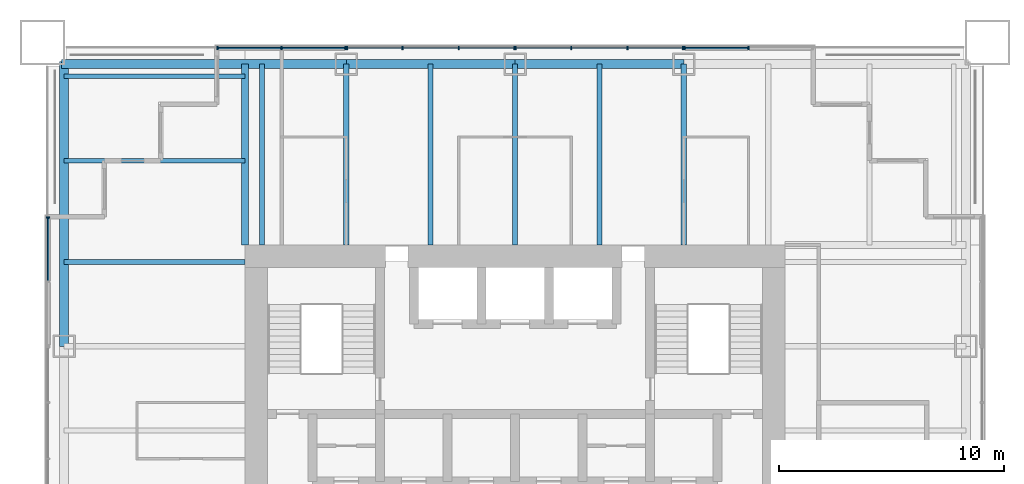
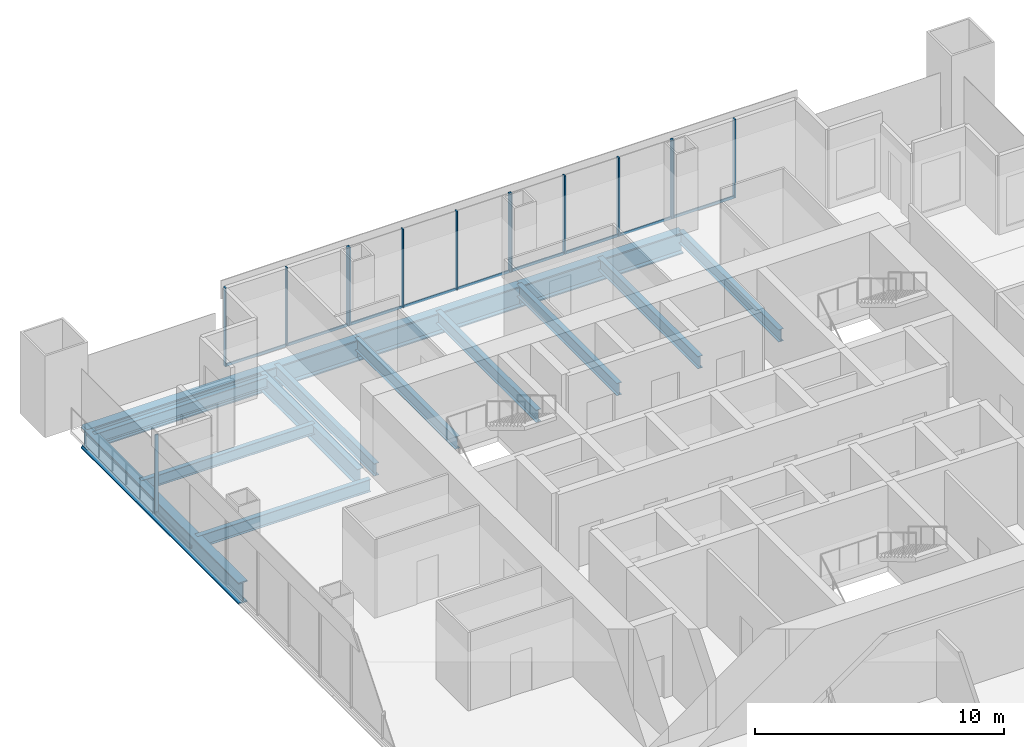
# One storey, part 6 of 14: 24 members, 14 beams, 5 elements without a shape of their own.
"""IFC4 building model written with IfcOpenShell, lengths in metres."""

from ifc_helpers import new_model, si_unit, direction, frame, origin, origin_2d, place, context, subcontext, project, spatial, rectangle, i_section, extrude, material, material_profile, profile_set, type_object, element, aggregate, save


model = new_model("IFC4")

# Units and contexts
model_context = context("Model", 3, precision=1e-05, world=origin(), true_north=direction((0.0, 1.0)))
body_context = subcontext(model_context, "Body", "Model", "MODEL_VIEW")
ifc_project = project(units=[si_unit("LENGTHUNIT", "METRE"), si_unit("AREAUNIT", "SQUARE_METRE"), si_unit("VOLUMEUNIT", "CUBIC_METRE"), si_unit("PLANEANGLEUNIT", "RADIAN"), si_unit("MASSUNIT", "GRAM", prefix="KILO")], contexts=[model_context])

# Site, building, storey
site_placement = place(None, origin())
site = spatial("IfcSite", under=ifc_project, at=site_placement, CompositionType="ELEMENT")
building_placement = place(site_placement, origin())
building = spatial("IfcBuilding", under=site, at=building_placement, Name="Tarangal Relay Tower", CompositionType="ELEMENT")
storey_placement = place(building_placement, frame((0.0, 0.0, 287.89990234375)))
storey = spatial("IfcBuildingStorey", under=building, at=storey_placement, Name="L63", CompositionType="ELEMENT", Elevation=287.89990234375)

# Beams
ifc_material_1 = material(Name="Steel ASTM A992", Category="steel")
ifc_material_profile_1 = material_profile(ifc_material_1, i_section(OverallWidth=0.209228515625, OverallDepth=0.533447265625, WebThickness=0.01025390625, FlangeThickness=0.015625, at=origin_2d()), Name="W21X62")
ifc_profile_set_1 = profile_set([ifc_material_profile_1], Name="Steel ASTM A992")
beam_type_1 = type_object("IfcBeamType", Name="Corner beam W21X62", PredefinedType="JOIST", material=ifc_profile_set_1)
for number, where, z_axis, x_axis, name in (
    (1, (-12.0, 15.75, -0.41650390625), (-1.0, 0.0, 0.0), (0.0, -1.0, 0.0), "Corner beam CB12 W L63"),
    (2, (-12.0, 19.5, -0.41650390625), (-1.0, 0.0, 0.0), (0.0, -1.0, 0.0), "Corner beam CB12 W L63"),
):
    element("IfcBeam", number, at=place(storey_placement, frame(where, z_axis=z_axis, x_axis=x_axis)), inside=storey, type_object=beam_type_1, Name=name, PredefinedType="JOIST", context=body_context, shape_type="SweptSolid", body=[
        extrude(i_section(OverallWidth=0.209228515625, OverallDepth=0.533447265625, WebThickness=0.01025390625, FlangeThickness=0.015625, at=origin_2d()), origin(), (0.0, 0.0, 1.0), 8.0400390625),
    ])
ifc_material_profile_2 = material_profile(ifc_material_1, i_section(OverallWidth=0.2919921875, OverallDepth=0.8408203125, WebThickness=0.0146484375, FlangeThickness=0.021728515625, at=origin_2d()), Name="W33X130")
ifc_profile_set_2 = profile_set([ifc_material_profile_2], Name="Steel ASTM A992")
beam_type_2 = type_object("IfcBeamType", Name="Corner girder W33X130", PredefinedType="BEAM", material=ifc_profile_set_2)
beam_1_placement = place(storey_placement, frame((-12.0, 12.0, -0.5703125), z_axis=(0.0, 1.0, 0.0), x_axis=(-1.0, 0.0, 0.0)))
element("IfcBeam", 3, at=beam_1_placement, inside=storey, type_object=beam_type_2, Name="Corner girder CG5 W L63", PredefinedType="BEAM", context=body_context, shape_type="SweptSolid", body=[
    extrude(i_section(OverallWidth=0.2919921875, OverallDepth=0.8408203125, WebThickness=0.0146484375, FlangeThickness=0.021728515625, at=origin_2d()), origin(), (0.0, 0.0, 1.0), 8.0400390625),
])
ifc_material_profile_3 = material_profile(ifc_material_1, i_section(OverallWidth=0.41162109375, OverallDepth=1.049072265625, WebThickness=0.033935546875, FlangeThickness=0.059814453125, at=origin_2d()), Name="W40X431")
ifc_profile_set_3 = profile_set([ifc_material_profile_3], Name="Steel ASTM A992")
beam_type_3 = type_object("IfcBeamType", Name="Edge girder W40X431", PredefinedType="SPANDREL", material=ifc_profile_set_3)
beam_2_placement = place(storey_placement, frame((-20.14990234375, 20.0400390625, -0.67431640625), z_axis=(1.0, 0.0, 0.0), x_axis=(0.0, 1.0, 0.0)))
element("IfcBeam", 4, at=beam_2_placement, inside=storey, type_object=beam_type_3, Name="Edge girder EG1 N L63", PredefinedType="SPANDREL", context=body_context, shape_type="SweptSolid", body=[
    extrude(i_section(OverallWidth=0.41162109375, OverallDepth=1.049072265625, WebThickness=0.033935546875, FlangeThickness=0.059814453125, at=origin_2d()), origin(), (0.0, 0.0, 1.0), 12.64990234375),
])
for number, where, z_axis, x_axis, name in (
    (5, (-7.5, 20.0400390625, -0.67431640625), (1.0, 0.0, 0.0), (0.0, 1.0, 0.0), "Edge girder EG1 N L63"),
    (6, (0.0, 20.0400390625, -0.67431640625), (1.0, 0.0, 0.0), (0.0, 1.0, 0.0), "Edge girder EG1 N L63"),
):
    element("IfcBeam", number, at=place(storey_placement, frame(where, z_axis=z_axis, x_axis=x_axis)), inside=storey, type_object=beam_type_3, Name=name, PredefinedType="SPANDREL", context=body_context, shape_type="SweptSolid", body=[
        extrude(i_section(OverallWidth=0.41162109375, OverallDepth=1.049072265625, WebThickness=0.033935546875, FlangeThickness=0.059814453125, at=origin_2d()), origin(), (0.0, 0.0, 1.0), 7.5),
    ])
beam_3_placement = place(storey_placement, frame((-20.0400390625, 7.5, -0.67431640625), z_axis=(0.0, 1.0, 0.0), x_axis=(-1.0, 0.0, 0.0)))
element("IfcBeam", 7, at=beam_3_placement, inside=storey, type_object=beam_type_3, Name="Edge girder EG1 W L63", PredefinedType="SPANDREL", context=body_context, shape_type="SweptSolid", body=[
    extrude(i_section(OverallWidth=0.41162109375, OverallDepth=1.049072265625, WebThickness=0.033935546875, FlangeThickness=0.059814453125, at=origin_2d()), origin(), (0.0, 0.0, 1.0), 12.64990234375),
])
ifc_material_profile_4 = material_profile(ifc_material_1, i_section(OverallWidth=0.228271484375, OverallDepth=0.607177734375, WebThickness=0.01123046875, FlangeThickness=0.017333984375, at=origin_2d()), Name="W24X76")
ifc_profile_set_4 = profile_set([ifc_material_profile_4], Name="Steel ASTM A992")
beam_type_4 = type_object("IfcBeamType", Name="Floor beam W24X76", PredefinedType="BEAM", material=ifc_profile_set_4)
for number, where, z_axis, x_axis, name in (
    (8, (-11.25, 12.0, -0.453369140625), (0.0, 1.0, 0.0), (-1.0, 0.0, 0.0), "Floor beam RB5 N L63"),
    (9, (-7.5, 12.0, -0.453369140625), (0.0, 1.0, 0.0), (-1.0, 0.0, 0.0), "Floor beam RB5 N L63"),
    (10, (-3.75, 12.0, -0.453369140625), (0.0, 1.0, 0.0), (-1.0, 0.0, 0.0), "Floor beam RB5 N L63"),
    (11, (0.0, 12.0, -0.453369140625), (0.0, 1.0, 0.0), (-1.0, 0.0, 0.0), "Floor beam RB5 N L63"),
    (12, (3.75, 12.0, -0.453369140625), (0.0, 1.0, 0.0), (-1.0, 0.0, 0.0), "Floor beam RB5 N L63"),
    (13, (7.5, 12.0, -0.453369140625), (0.0, 1.0, 0.0), (-1.0, 0.0, 0.0), "Floor beam RB5 N L63"),
    (14, (-12.0, 11.25, -0.453369140625), (-1.0, 0.0, 0.0), (0.0, -1.0, 0.0), "Floor beam RB5 W L63"),
):
    element("IfcBeam", number, at=place(storey_placement, frame(where, z_axis=z_axis, x_axis=x_axis)), inside=storey, type_object=beam_type_4, Name=name, PredefinedType="BEAM", context=body_context, shape_type="SweptSolid", body=[
        extrude(i_section(OverallWidth=0.228271484375, OverallDepth=0.607177734375, WebThickness=0.01123046875, FlangeThickness=0.017333984375, at=origin_2d()), origin(), (0.0, 0.0, 1.0), 8.0400390625),
    ])

# Curtain wall, members
ifc_material_2 = material(Name="Unitised curtain wall, dark glass and black aluminium", Category="aluminium")
curtain_wall_type_1 = type_object("IfcCurtainWallType", Name="Curtain wall CW-B", PredefinedType="USERDEFINED", material=ifc_material_2)
curtain_wall_1_placement = place(storey_placement, origin())
curtain_wall_1 = element("IfcCurtainWall", 15, at=curtain_wall_1_placement, inside=storey, type_object=curtain_wall_type_1, Name="Curtain wall CW-B N facade L63", ObjectType="UNITISED CURTAIN WALL", PredefinedType="USERDEFINED")
ifc_material_3 = material(Name="Black anodised aluminium mullion", Category="aluminium")
ifc_material_profile_5 = material_profile(ifc_material_3, rectangle(XDim=0.159912109375, YDim=0.06005859375, at=origin_2d()), Name="CW-BM 60X160")
ifc_profile_set_5 = profile_set([ifc_material_profile_5], Name="Black anodised aluminium mullion")
member_type_1 = type_object("IfcMemberType", Name="Mullion CW-B 60 x 160", PredefinedType="MULLION", material=ifc_profile_set_5)
member_1_placement = place(storey_placement, frame((-7.469970703125, 20.75, 0.0), z_axis=(0.0, 0.0, 1.0), x_axis=(0.0, 1.0, 0.0)))
member_1 = element("IfcMember", 16, at=member_1_placement, type_object=member_type_1, Name="CW-B mullion 1", PredefinedType="MULLION", context=body_context, shape_type="SweptSolid", body=[
    extrude(rectangle(XDim=0.159912109375, YDim=0.06005859375, at=origin_2d()), origin(), (0.0, 0.0, 1.0), 3.85009765625),
])
member_2_placement = place(storey_placement, frame((-5.0, 20.75, 0.0), z_axis=(0.0, 0.0, 1.0), x_axis=(0.0, 1.0, 0.0)))
member_2 = element("IfcMember", 17, at=member_2_placement, type_object=member_type_1, Name="CW-B mullion 2", PredefinedType="MULLION", context=body_context, shape_type="SweptSolid", body=[
    extrude(rectangle(XDim=0.159912109375, YDim=0.06005859375, at=origin_2d()), origin(), (0.0, 0.0, 1.0), 3.85009765625),
])
member_3_placement = place(storey_placement, frame((-2.5, 20.75, 0.0), z_axis=(0.0, 0.0, 1.0), x_axis=(0.0, 1.0, 0.0)))
member_3 = element("IfcMember", 18, at=member_3_placement, type_object=member_type_1, Name="CW-B mullion 3", PredefinedType="MULLION", context=body_context, shape_type="SweptSolid", body=[
    extrude(rectangle(XDim=0.159912109375, YDim=0.06005859375, at=origin_2d()), origin(), (0.0, 0.0, 1.0), 3.85009765625),
])
member_4_placement = place(storey_placement, frame((-0.030029296875, 20.75, 0.0), z_axis=(0.0, 0.0, 1.0), x_axis=(0.0, 1.0, 0.0)))
member_4 = element("IfcMember", 19, at=member_4_placement, type_object=member_type_1, Name="CW-B mullion 4", PredefinedType="MULLION", context=body_context, shape_type="SweptSolid", body=[
    extrude(rectangle(XDim=0.159912109375, YDim=0.06005859375, at=origin_2d()), origin(), (0.0, 0.0, 1.0), 3.85009765625),
])

curtain_wall_2_placement = place(storey_placement, origin())
curtain_wall_2 = element("IfcCurtainWall", 20, at=curtain_wall_2_placement, inside=storey, type_object=curtain_wall_type_1, Name="Curtain wall CW-B N facade L63", ObjectType="UNITISED CURTAIN WALL", PredefinedType="USERDEFINED")
member_5_placement = place(storey_placement, frame((0.030029296875, 20.75, 0.0), z_axis=(0.0, 0.0, 1.0), x_axis=(0.0, 1.0, 0.0)))
member_5 = element("IfcMember", 21, at=member_5_placement, type_object=member_type_1, Name="CW-B mullion 1", PredefinedType="MULLION", context=body_context, shape_type="SweptSolid", body=[
    extrude(rectangle(XDim=0.159912109375, YDim=0.06005859375, at=origin_2d()), origin(), (0.0, 0.0, 1.0), 3.85009765625),
])
member_6_placement = place(storey_placement, frame((2.5, 20.75, 0.0), z_axis=(0.0, 0.0, 1.0), x_axis=(0.0, 1.0, 0.0)))
member_6 = element("IfcMember", 22, at=member_6_placement, type_object=member_type_1, Name="CW-B mullion 2", PredefinedType="MULLION", context=body_context, shape_type="SweptSolid", body=[
    extrude(rectangle(XDim=0.159912109375, YDim=0.06005859375, at=origin_2d()), origin(), (0.0, 0.0, 1.0), 3.85009765625),
])
member_7_placement = place(storey_placement, frame((5.0, 20.75, 0.0), z_axis=(0.0, 0.0, 1.0), x_axis=(0.0, 1.0, 0.0)))
member_7 = element("IfcMember", 23, at=member_7_placement, type_object=member_type_1, Name="CW-B mullion 3", PredefinedType="MULLION", context=body_context, shape_type="SweptSolid", body=[
    extrude(rectangle(XDim=0.159912109375, YDim=0.06005859375, at=origin_2d()), origin(), (0.0, 0.0, 1.0), 3.85009765625),
])
member_8_placement = place(storey_placement, frame((7.469970703125, 20.75, 0.0), z_axis=(0.0, 0.0, 1.0), x_axis=(0.0, 1.0, 0.0)))
member_8 = element("IfcMember", 24, at=member_8_placement, type_object=member_type_1, Name="CW-B mullion 4", PredefinedType="MULLION", context=body_context, shape_type="SweptSolid", body=[
    extrude(rectangle(XDim=0.159912109375, YDim=0.06005859375, at=origin_2d()), origin(), (0.0, 0.0, 1.0), 3.85009765625),
])

ifc_material_4 = material(Name="Unitised curtain wall frame, black aluminium, with metal clad infill walls", Category="aluminium")
curtain_wall_type_2 = type_object("IfcCurtainWallType", Name="Curtain wall CW-BO", PredefinedType="USERDEFINED", material=ifc_material_4)
curtain_wall_3_placement = place(storey_placement, origin())
curtain_wall_3 = element("IfcCurtainWall", 25, at=curtain_wall_3_placement, inside=storey, type_object=curtain_wall_type_2, Name="Curtain wall CW-BO N facade L63", ObjectType="UNITISED CURTAIN WALL", PredefinedType="USERDEFINED")
ifc_material_profile_6 = material_profile(ifc_material_3, rectangle(XDim=0.159912109375, YDim=0.06005859375, at=origin_2d()), Name="CW-BOM 60X160")
ifc_profile_set_6 = profile_set([ifc_material_profile_6], Name="Black anodised aluminium mullion")
member_type_2 = type_object("IfcMemberType", Name="Mullion CW-BO 60 x 160", PredefinedType="MULLION", material=ifc_profile_set_6)
member_9_placement = place(storey_placement, frame((-13.219970703125, 20.75, 0.0), z_axis=(0.0, 0.0, 1.0), x_axis=(0.0, 1.0, 0.0)))
member_9 = element("IfcMember", 26, at=member_9_placement, type_object=member_type_2, Name="CW-BO mullion 1", PredefinedType="MULLION", context=body_context, shape_type="SweptSolid", body=[
    extrude(rectangle(XDim=0.159912109375, YDim=0.06005859375, at=origin_2d()), origin(), (0.0, 0.0, 1.0), 3.85009765625),
])
member_10_placement = place(storey_placement, frame((-10.375, 20.75, 0.0), z_axis=(0.0, 0.0, 1.0), x_axis=(0.0, 1.0, 0.0)))
member_10 = element("IfcMember", 27, at=member_10_placement, type_object=member_type_2, Name="CW-BO mullion 2", PredefinedType="MULLION", context=body_context, shape_type="SweptSolid", body=[
    extrude(rectangle(XDim=0.159912109375, YDim=0.06005859375, at=origin_2d()), origin(), (0.0, 0.0, 1.0), 3.85009765625),
])
member_11_placement = place(storey_placement, frame((-7.530029296875, 20.75, 0.0), z_axis=(0.0, 0.0, 1.0), x_axis=(0.0, 1.0, 0.0)))
member_11 = element("IfcMember", 28, at=member_11_placement, type_object=member_type_2, Name="CW-BO mullion 3", PredefinedType="MULLION", context=body_context, shape_type="SweptSolid", body=[
    extrude(rectangle(XDim=0.159912109375, YDim=0.06005859375, at=origin_2d()), origin(), (0.0, 0.0, 1.0), 3.85009765625),
])

curtain_wall_4_placement = place(storey_placement, origin())
curtain_wall_4 = element("IfcCurtainWall", 29, at=curtain_wall_4_placement, inside=storey, type_object=curtain_wall_type_2, Name="Curtain wall CW-BO N facade L63", ObjectType="UNITISED CURTAIN WALL", PredefinedType="USERDEFINED")
member_12_placement = place(storey_placement, frame((7.530029296875, 20.75, 0.0), z_axis=(0.0, 0.0, 1.0), x_axis=(0.0, 1.0, 0.0)))
member_12 = element("IfcMember", 30, at=member_12_placement, type_object=member_type_2, Name="CW-BO mullion 1", PredefinedType="MULLION", context=body_context, shape_type="SweptSolid", body=[
    extrude(rectangle(XDim=0.159912109375, YDim=0.06005859375, at=origin_2d()), origin(), (0.0, 0.0, 1.0), 3.85009765625),
])
member_13_placement = place(storey_placement, frame((10.375, 20.75, 0.0), z_axis=(0.0, 0.0, 1.0), x_axis=(0.0, 1.0, 0.0)))
member_13 = element("IfcMember", 31, at=member_13_placement, type_object=member_type_2, Name="CW-BO mullion 2", PredefinedType="MULLION", context=body_context, shape_type="SweptSolid", body=[
    extrude(rectangle(XDim=0.159912109375, YDim=0.06005859375, at=origin_2d()), origin(), (0.0, 0.0, 1.0), 3.85009765625),
])

# Curtain wall, member
curtain_wall_5_placement = place(storey_placement, origin())
curtain_wall_5 = element("IfcCurtainWall", 32, at=curtain_wall_5_placement, inside=storey, type_object=curtain_wall_type_2, Name="Curtain wall CW-BO W facade L63", ObjectType="UNITISED CURTAIN WALL", PredefinedType="USERDEFINED")
member_14_placement = place(storey_placement, frame((-20.75, 13.219970703125, 0.0), z_axis=(0.0, 0.0, 1.0), x_axis=(-1.0, 0.0, 0.0)))
member_14 = element("IfcMember", 33, at=member_14_placement, type_object=member_type_2, Name="CW-BO mullion 3", PredefinedType="MULLION", context=body_context, shape_type="SweptSolid", body=[
    extrude(rectangle(XDim=0.159912109375, YDim=0.06005859375, at=origin_2d()), origin(), (0.0, 0.0, 1.0), 3.85009765625),
])

# Member
ifc_material_5 = material(Name="Black anodised aluminium transom", Category="aluminium")
ifc_material_profile_7 = material_profile(ifc_material_5, rectangle(XDim=0.06005859375, YDim=0.1298828125, at=origin_2d()), Name="CW-BT 60X130")
ifc_profile_set_7 = profile_set([ifc_material_profile_7], Name="Black anodised aluminium transom")
member_type_3 = type_object("IfcMemberType", Name="Transom CW-B 60 x 130", PredefinedType="USERDEFINED", material=ifc_profile_set_7)
member_15_placement = place(storey_placement, frame((-7.43994140625, 20.75, 0.030029296875), z_axis=(1.0, 0.0, 0.0), x_axis=(0.0, 1.0, 0.0)))
member_15 = element("IfcMember", 34, at=member_15_placement, type_object=member_type_3, Name="CW-B transom 1.1", ObjectType="TRANSOM", PredefinedType="USERDEFINED", context=body_context, shape_type="SweptSolid", body=[
    extrude(rectangle(XDim=0.06005859375, YDim=0.1298828125, at=origin_2d()), origin(), (0.0, 0.0, 1.0), 2.409912109375),
])

member_16_placement = place(storey_placement, frame((-4.969970703125, 20.75, 0.030029296875), z_axis=(1.0, 0.0, 0.0), x_axis=(0.0, 1.0, 0.0)))
member_16 = element("IfcMember", 35, at=member_16_placement, type_object=member_type_3, Name="CW-B transom 2.1", ObjectType="TRANSOM", PredefinedType="USERDEFINED", context=body_context, shape_type="SweptSolid", body=[
    extrude(rectangle(XDim=0.06005859375, YDim=0.1298828125, at=origin_2d()), origin(), (0.0, 0.0, 1.0), 2.43994140625),
])

member_17_placement = place(storey_placement, frame((-2.469970703125, 20.75, 0.030029296875), z_axis=(1.0, 0.0, 0.0), x_axis=(0.0, 1.0, 0.0)))
member_17 = element("IfcMember", 36, at=member_17_placement, type_object=member_type_3, Name="CW-B transom 3.1", ObjectType="TRANSOM", PredefinedType="USERDEFINED", context=body_context, shape_type="SweptSolid", body=[
    extrude(rectangle(XDim=0.06005859375, YDim=0.1298828125, at=origin_2d()), origin(), (0.0, 0.0, 1.0), 2.409912109375),
])

aggregate(curtain_wall_1, [member_1, member_2, member_3, member_4, member_15, member_16, member_17])

member_18_placement = place(storey_placement, frame((0.06005859375, 20.75, 0.030029296875), z_axis=(1.0, 0.0, 0.0), x_axis=(0.0, 1.0, 0.0)))
member_18 = element("IfcMember", 37, at=member_18_placement, type_object=member_type_3, Name="CW-B transom 1.1", ObjectType="TRANSOM", PredefinedType="USERDEFINED", context=body_context, shape_type="SweptSolid", body=[
    extrude(rectangle(XDim=0.06005859375, YDim=0.1298828125, at=origin_2d()), origin(), (0.0, 0.0, 1.0), 2.409912109375),
])

member_19_placement = place(storey_placement, frame((2.530029296875, 20.75, 0.030029296875), z_axis=(1.0, 0.0, 0.0), x_axis=(0.0, 1.0, 0.0)))
member_19 = element("IfcMember", 38, at=member_19_placement, type_object=member_type_3, Name="CW-B transom 2.1", ObjectType="TRANSOM", PredefinedType="USERDEFINED", context=body_context, shape_type="SweptSolid", body=[
    extrude(rectangle(XDim=0.06005859375, YDim=0.1298828125, at=origin_2d()), origin(), (0.0, 0.0, 1.0), 2.43994140625),
])

member_20_placement = place(storey_placement, frame((5.030029296875, 20.75, 0.030029296875), z_axis=(1.0, 0.0, 0.0), x_axis=(0.0, 1.0, 0.0)))
member_20 = element("IfcMember", 39, at=member_20_placement, type_object=member_type_3, Name="CW-B transom 3.1", ObjectType="TRANSOM", PredefinedType="USERDEFINED", context=body_context, shape_type="SweptSolid", body=[
    extrude(rectangle(XDim=0.06005859375, YDim=0.1298828125, at=origin_2d()), origin(), (0.0, 0.0, 1.0), 2.409912109375),
])

aggregate(curtain_wall_2, [member_5, member_6, member_7, member_8, member_18, member_19, member_20])

ifc_material_profile_8 = material_profile(ifc_material_5, rectangle(XDim=0.06005859375, YDim=0.1298828125, at=origin_2d()), Name="CW-BOT 60X130")
ifc_profile_set_8 = profile_set([ifc_material_profile_8], Name="Black anodised aluminium transom")
member_type_4 = type_object("IfcMemberType", Name="Transom CW-BO 60 x 130", PredefinedType="USERDEFINED", material=ifc_profile_set_8)
member_21_placement = place(storey_placement, frame((-13.18994140625, 20.75, 0.030029296875), z_axis=(1.0, 0.0, 0.0), x_axis=(0.0, 1.0, 0.0)))
member_21 = element("IfcMember", 40, at=member_21_placement, type_object=member_type_4, Name="CW-BO transom 1.1", ObjectType="TRANSOM", PredefinedType="USERDEFINED", context=body_context, shape_type="SweptSolid", body=[
    extrude(rectangle(XDim=0.06005859375, YDim=0.1298828125, at=origin_2d()), origin(), (0.0, 0.0, 1.0), 2.784912109375),
])

member_22_placement = place(storey_placement, frame((-10.344970703125, 20.75, 0.030029296875), z_axis=(1.0, 0.0, 0.0), x_axis=(0.0, 1.0, 0.0)))
member_22 = element("IfcMember", 41, at=member_22_placement, type_object=member_type_4, Name="CW-BO transom 2.1", ObjectType="TRANSOM", PredefinedType="USERDEFINED", context=body_context, shape_type="SweptSolid", body=[
    extrude(rectangle(XDim=0.06005859375, YDim=0.1298828125, at=origin_2d()), origin(), (0.0, 0.0, 1.0), 2.784912109375),
])

aggregate(curtain_wall_3, [member_9, member_10, member_11, member_21, member_22])

member_23_placement = place(storey_placement, frame((7.56005859375, 20.75, 0.030029296875), z_axis=(1.0, 0.0, 0.0), x_axis=(0.0, 1.0, 0.0)))
member_23 = element("IfcMember", 42, at=member_23_placement, type_object=member_type_4, Name="CW-BO transom 1.1", ObjectType="TRANSOM", PredefinedType="USERDEFINED", context=body_context, shape_type="SweptSolid", body=[
    extrude(rectangle(XDim=0.06005859375, YDim=0.1298828125, at=origin_2d()), origin(), (0.0, 0.0, 1.0), 2.784912109375),
])

aggregate(curtain_wall_4, [member_12, member_13, member_23])

member_24_placement = place(storey_placement, frame((-20.75, 10.405029296875, 0.030029296875), z_axis=(0.0, 1.0, 0.0), x_axis=(-1.0, 0.0, 0.0)))
member_24 = element("IfcMember", 43, at=member_24_placement, type_object=member_type_4, Name="CW-BO transom 2.1", ObjectType="TRANSOM", PredefinedType="USERDEFINED", context=body_context, shape_type="SweptSolid", body=[
    extrude(rectangle(XDim=0.06005859375, YDim=0.1298828125, at=origin_2d()), origin(), (0.0, 0.0, 1.0), 2.784912109375),
])

aggregate(curtain_wall_5, [member_14, member_24])

save(model, "model.ifc")
